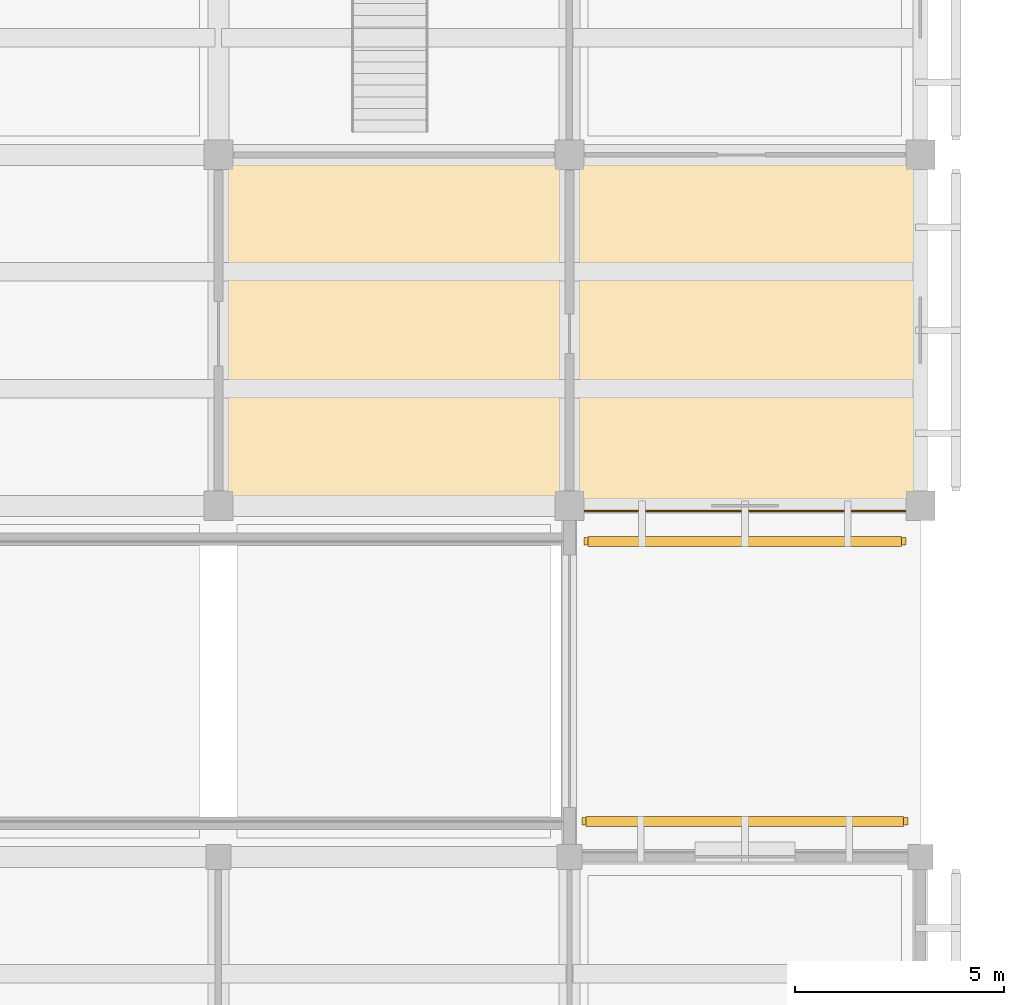
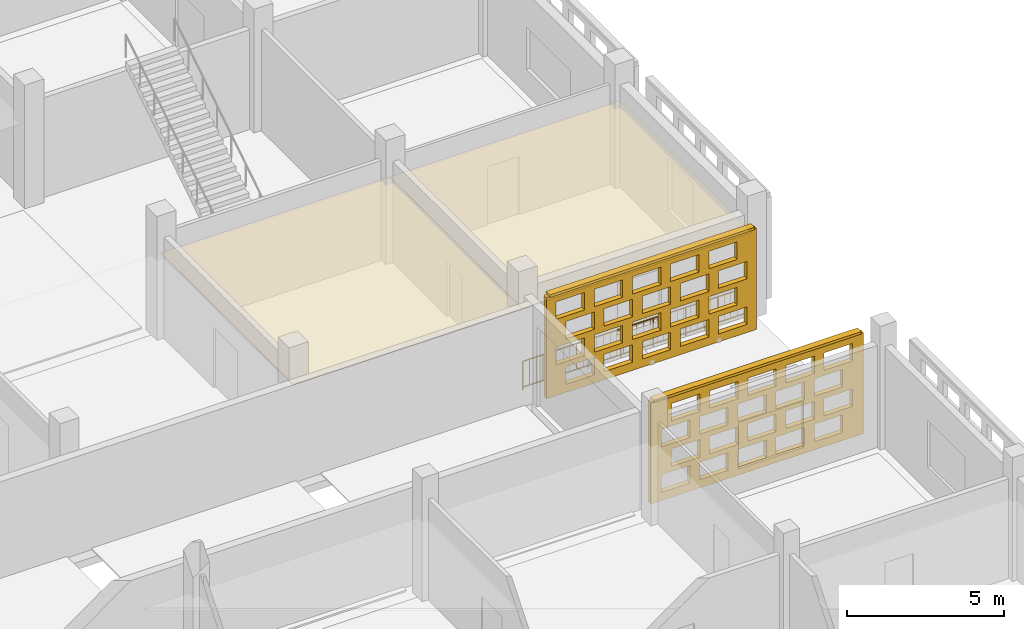
# One storey, part 121 of 129: 4 coverings, 2 shading devices, 1 railing, 40 openings.
"""IFC4 building model written with IfcOpenShell, lengths in metres."""

from ifc_helpers import new_model, si_unit, direction, frame, frame_2d, origin, origin_2d, place, context, subcontext, project, spatial, rectangle, circle, extrude, material, layer, layer_set, type_object, element, save


model = new_model("IFC4")

# Units and contexts
model_context = context("Model", 3, precision=1e-05, world=origin(), true_north=direction((0.0, 1.0)))
body_context = subcontext(model_context, "Body", "Model", "MODEL_VIEW")
ifc_project = project(units=[si_unit("LENGTHUNIT", "METRE"), si_unit("AREAUNIT", "SQUARE_METRE"), si_unit("VOLUMEUNIT", "CUBIC_METRE"), si_unit("PLANEANGLEUNIT", "RADIAN"), si_unit("MASSUNIT", "GRAM", prefix="KILO")], contexts=[model_context])

# Site, building, storey
site_placement = place(None, origin())
site = spatial("IfcSite", under=ifc_project, at=site_placement, CompositionType="ELEMENT")
building_placement = place(site_placement, origin())
building = spatial("IfcBuilding", under=site, at=building_placement, Name="Varnapada Polytechnic", CompositionType="ELEMENT")
storey_placement = place(building_placement, origin())
storey = spatial("IfcBuildingStorey", under=building, at=storey_placement, Name="L00", CompositionType="ELEMENT", Elevation=0.0)

# Coverings
ifc_material_1 = material(Name="Mineral Fibre Acoustic Ceiling Tile")
ifc_layer_1 = layer(ifc_material_1, 0.0400390625)
ifc_layer_set_1 = layer_set([ifc_layer_1], Name="Mineral Fibre Acoustic Ceiling Tile")
covering_type_1 = type_object("IfcCoveringType", Name="Suspended Ceiling CLG-01", PredefinedType="CEILING", material=ifc_layer_set_1)
covering_1_placement = place(storey_placement, frame((172.199951171875, 63.0, 3.030029296875), z_axis=(0.0, 0.0, 1.0), x_axis=(1.0, 0.0, 0.0)))
element("IfcCovering", 1, at=covering_1_placement, inside=storey, type_object=covering_type_1, Name="L00 suspended acoustic ceiling (21,8)", PredefinedType="CEILING", context=body_context, shape_type="SweptSolid", body=[
    extrude(rectangle(XDim=8.419921875, YDim=8.419921875, at=origin_2d()), origin(), (0.0, 0.0, 1.0), 0.0400390625),
])
ifc_material_2 = material(Name="Moisture-Resistant Aluminum Baffle Ceiling", Category="aluminium")
ifc_layer_2 = layer(ifc_material_2, 0.030029296875)
ifc_layer_set_2 = layer_set([ifc_layer_2], Name="Moisture-Resistant Aluminum Baffle Ceiling")
covering_type_2 = type_object("IfcCoveringType", Name="Suspended Ceiling CLG-03", PredefinedType="CEILING", material=ifc_layer_set_2)
covering_2_placement = place(storey_placement, frame((163.800048828125, 63.0, 3.03515625), z_axis=(0.0, 0.0, 1.0), x_axis=(1.0, 0.0, 0.0)))
element("IfcCovering", 2, at=covering_2_placement, inside=storey, type_object=covering_type_2, Name="L00 suspended acoustic ceiling (20,8)", PredefinedType="CEILING", context=body_context, shape_type="SweptSolid", body=[
    extrude(rectangle(XDim=8.419921875, YDim=8.419921875, at=origin_2d()), origin(), (0.0, 0.0, 1.0), 0.030029296875),
])

# Railing
ifc_material_3 = material(Name="Painted galvanized steel", Category="steel")
railing_type = type_object("IfcRailingType", Name="Terrace Guard Rail GRD-01", PredefinedType="BALUSTRADE", material=ifc_material_3)
railing_placement = place(storey_placement, frame((167.949951171875, 58.679931640625, 0.0)))
element("IfcRailing", 3, at=railing_placement, inside=storey, type_object=railing_type, Name="L00 vehicle ramp well guard 5", PredefinedType="BALUSTRADE", context=body_context, shape_type="SweptSolid", body=[
    extrude(circle(Radius=0.02392578125, at=origin_2d()), frame((0.0, 0.0, 1.09619140625), z_axis=(1.0, 0.0, 0.0), x_axis=(0.0, 1.0, 0.0)), (0.0, 0.0, 1.0), 8.3701171875),
    extrude(circle(Radius=0.02392578125, at=origin_2d()), frame((0.0, 0.0, 0.10009765625), z_axis=(1.0, 0.0, 0.0), x_axis=(0.0, 1.0, 0.0)), (0.0, 0.0, 1.0), 8.3701171875),
    extrude(circle(Radius=0.02099609375, at=origin_2d()), origin(), (0.0, 0.0, 1.0), 1.072021484375),
    extrude(circle(Radius=0.02099609375, at=origin_2d()), frame((1.19580078125, 0.0, 0.0)), (0.0, 0.0, 1.0), 1.072021484375),
    extrude(circle(Radius=0.02099609375, at=origin_2d()), frame((2.391357421875, 0.0, 0.0)), (0.0, 0.0, 1.0), 1.072021484375),
    extrude(circle(Radius=0.02099609375, at=origin_2d()), frame((3.587158203125, 0.0, 0.0)), (0.0, 0.0, 1.0), 1.072021484375),
    extrude(circle(Radius=0.02099609375, at=origin_2d()), frame((4.782958984375, 0.0, 0.0)), (0.0, 0.0, 1.0), 1.072021484375),
    extrude(circle(Radius=0.02099609375, at=origin_2d()), frame((5.978759765625, 0.0, 0.0)), (0.0, 0.0, 1.0), 1.072021484375),
    extrude(circle(Radius=0.02099609375, at=origin_2d()), frame((7.17431640625, 0.0, 0.0)), (0.0, 0.0, 1.0), 1.072021484375),
    extrude(circle(Radius=0.02099609375, at=origin_2d()), frame((8.3701171875, 0.0, 0.0)), (0.0, 0.0, 1.0), 1.072021484375),
    extrude(circle(Radius=0.010009765625, at=origin_2d()), frame((0.24609375, 0.0, 0.10009765625)), (0.0, 0.0, 1.0), 0.971923828125),
    extrude(circle(Radius=0.010009765625, at=origin_2d()), frame((0.492431640625, 0.0, 0.10009765625)), (0.0, 0.0, 1.0), 0.971923828125),
    extrude(circle(Radius=0.010009765625, at=origin_2d()), frame((0.738525390625, 0.0, 0.10009765625)), (0.0, 0.0, 1.0), 0.971923828125),
    extrude(circle(Radius=0.010009765625, at=origin_2d()), frame((0.984619140625, 0.0, 0.10009765625)), (0.0, 0.0, 1.0), 0.971923828125),
    extrude(circle(Radius=0.010009765625, at=origin_2d()), frame((1.23095703125, 0.0, 0.10009765625)), (0.0, 0.0, 1.0), 0.971923828125),
    extrude(circle(Radius=0.010009765625, at=origin_2d()), frame((1.47705078125, 0.0, 0.10009765625)), (0.0, 0.0, 1.0), 0.971923828125),
    extrude(circle(Radius=0.010009765625, at=origin_2d()), frame((1.72314453125, 0.0, 0.10009765625)), (0.0, 0.0, 1.0), 0.971923828125),
    extrude(circle(Radius=0.010009765625, at=origin_2d()), frame((1.969482421875, 0.0, 0.10009765625)), (0.0, 0.0, 1.0), 0.971923828125),
    extrude(circle(Radius=0.010009765625, at=origin_2d()), frame((2.215576171875, 0.0, 0.10009765625)), (0.0, 0.0, 1.0), 0.971923828125),
    extrude(circle(Radius=0.010009765625, at=origin_2d()), frame((2.4619140625, 0.0, 0.10009765625)), (0.0, 0.0, 1.0), 0.971923828125),
    extrude(circle(Radius=0.010009765625, at=origin_2d()), frame((2.7080078125, 0.0, 0.10009765625)), (0.0, 0.0, 1.0), 0.971923828125),
    extrude(circle(Radius=0.010009765625, at=origin_2d()), frame((2.9541015625, 0.0, 0.10009765625)), (0.0, 0.0, 1.0), 0.971923828125),
    extrude(circle(Radius=0.010009765625, at=origin_2d()), frame((3.200439453125, 0.0, 0.10009765625)), (0.0, 0.0, 1.0), 0.971923828125),
    extrude(circle(Radius=0.010009765625, at=origin_2d()), frame((3.446533203125, 0.0, 0.10009765625)), (0.0, 0.0, 1.0), 0.971923828125),
    extrude(circle(Radius=0.010009765625, at=origin_2d()), frame((3.692626953125, 0.0, 0.10009765625)), (0.0, 0.0, 1.0), 0.971923828125),
    extrude(circle(Radius=0.010009765625, at=origin_2d()), frame((3.93896484375, 0.0, 0.10009765625)), (0.0, 0.0, 1.0), 0.971923828125),
    extrude(circle(Radius=0.010009765625, at=origin_2d()), frame((4.18505859375, 0.0, 0.10009765625)), (0.0, 0.0, 1.0), 0.971923828125),
    extrude(circle(Radius=0.010009765625, at=origin_2d()), frame((4.43115234375, 0.0, 0.10009765625)), (0.0, 0.0, 1.0), 0.971923828125),
    extrude(circle(Radius=0.010009765625, at=origin_2d()), frame((4.677490234375, 0.0, 0.10009765625)), (0.0, 0.0, 1.0), 0.971923828125),
    extrude(circle(Radius=0.010009765625, at=origin_2d()), frame((4.923583984375, 0.0, 0.10009765625)), (0.0, 0.0, 1.0), 0.971923828125),
    extrude(circle(Radius=0.010009765625, at=origin_2d()), frame((5.169677734375, 0.0, 0.10009765625)), (0.0, 0.0, 1.0), 0.971923828125),
    extrude(circle(Radius=0.010009765625, at=origin_2d()), frame((5.416015625, 0.0, 0.10009765625)), (0.0, 0.0, 1.0), 0.971923828125),
    extrude(circle(Radius=0.010009765625, at=origin_2d()), frame((5.662109375, 0.0, 0.10009765625)), (0.0, 0.0, 1.0), 0.971923828125),
    extrude(circle(Radius=0.010009765625, at=origin_2d()), frame((5.908203125, 0.0, 0.10009765625)), (0.0, 0.0, 1.0), 0.971923828125),
    extrude(circle(Radius=0.010009765625, at=origin_2d()), frame((6.154541015625, 0.0, 0.10009765625)), (0.0, 0.0, 1.0), 0.971923828125),
    extrude(circle(Radius=0.010009765625, at=origin_2d()), frame((6.400634765625, 0.0, 0.10009765625)), (0.0, 0.0, 1.0), 0.971923828125),
    extrude(circle(Radius=0.010009765625, at=origin_2d()), frame((6.64697265625, 0.0, 0.10009765625)), (0.0, 0.0, 1.0), 0.971923828125),
    extrude(circle(Radius=0.010009765625, at=origin_2d()), frame((6.89306640625, 0.0, 0.10009765625)), (0.0, 0.0, 1.0), 0.971923828125),
    extrude(circle(Radius=0.010009765625, at=origin_2d()), frame((7.13916015625, 0.0, 0.10009765625)), (0.0, 0.0, 1.0), 0.971923828125),
    extrude(circle(Radius=0.010009765625, at=origin_2d()), frame((7.385498046875, 0.0, 0.10009765625)), (0.0, 0.0, 1.0), 0.971923828125),
    extrude(circle(Radius=0.010009765625, at=origin_2d()), frame((7.631591796875, 0.0, 0.10009765625)), (0.0, 0.0, 1.0), 0.971923828125),
    extrude(circle(Radius=0.010009765625, at=origin_2d()), frame((7.877685546875, 0.0, 0.10009765625)), (0.0, 0.0, 1.0), 0.971923828125),
    extrude(circle(Radius=0.010009765625, at=origin_2d()), frame((8.1240234375, 0.0, 0.10009765625)), (0.0, 0.0, 1.0), 0.971923828125),
])

# Covering, openings
ifc_material_4 = material(Name="Earth-toned architectural terracotta screen block", Category="masonry")
ifc_layer_3 = layer(ifc_material_4, 0.1201171875)
ifc_layer_set_3 = layer_set([ifc_layer_3], Name="Earth-toned architectural terracotta screen block")
covering_type_3 = type_object("IfcCoveringType", Name="Terracotta Screen Cladding CLD-01", PredefinedType="CLADDING", material=ifc_layer_set_3)
covering_3_placement = place(storey_placement, frame((168.300048828125, 51.25, 0.0), z_axis=(0.0, 0.0, 1.0), x_axis=(1.0, 0.0, 0.0)))
covering_3 = element("IfcCovering", 4, at=covering_3_placement, inside=storey, type_object=covering_type_3, Name="L00 perforated terracotta block screen (103)", PredefinedType="CLADDING", context=body_context, shape_type="SweptSolid", body=[
    extrude(rectangle(XDim=7.800048828125, YDim=0.179931640625, at=frame_2d((3.89990234375, 0.0))), origin(), (0.0, 0.0, 1.0), 3.919921875),
])
opening_1_placement = place(covering_3_placement, frame((0.39990234375, 0.0, 0.313720703125)))
element("IfcOpeningElement", 5, at=opening_1_placement, cuts=covering_3, Name="Screen perforation TBS-L00-102.1", PredefinedType="OPENING", context=body_context, shape_type="SweptSolid", body=[
    extrude(rectangle(XDim=1.0400390625, YDim=0.679931640625, at=frame_2d((0.52001953125, 0.33984375))), frame((0.0, 0.099853515625, 0.0), z_axis=(0.0, -1.0, 0.0), x_axis=(1.0, 0.0, 0.0)), (0.0, 0.0, 1.0), 0.199951171875),
])
opening_2_placement = place(covering_3_placement, frame((1.800048828125, 0.0, 0.313720703125)))
element("IfcOpeningElement", 6, at=opening_2_placement, cuts=covering_3, Name="Screen perforation TBS-L00-102.2", PredefinedType="OPENING", context=body_context, shape_type="SweptSolid", body=[
    extrude(rectangle(XDim=1.0400390625, YDim=0.679931640625, at=frame_2d((0.52001953125, 0.33984375))), frame((0.0, 0.099853515625, 0.0), z_axis=(0.0, -1.0, 0.0), x_axis=(1.0, 0.0, 0.0)), (0.0, 0.0, 1.0), 0.199951171875),
])
opening_3_placement = place(covering_3_placement, frame((3.199951171875, 0.0, 0.313720703125)))
element("IfcOpeningElement", 7, at=opening_3_placement, cuts=covering_3, Name="Screen perforation TBS-L00-102.3", PredefinedType="OPENING", context=body_context, shape_type="SweptSolid", body=[
    extrude(rectangle(XDim=1.0400390625, YDim=0.679931640625, at=frame_2d((0.52001953125, 0.33984375))), frame((0.0, 0.099853515625, 0.0), z_axis=(0.0, -1.0, 0.0), x_axis=(1.0, 0.0, 0.0)), (0.0, 0.0, 1.0), 0.199951171875),
])
opening_4_placement = place(covering_3_placement, frame((4.60009765625, 0.0, 0.313720703125)))
element("IfcOpeningElement", 8, at=opening_4_placement, cuts=covering_3, Name="Screen perforation TBS-L00-102.4", PredefinedType="OPENING", context=body_context, shape_type="SweptSolid", body=[
    extrude(rectangle(XDim=1.0400390625, YDim=0.679931640625, at=frame_2d((0.52001953125, 0.33984375))), frame((0.0, 0.099853515625, 0.0), z_axis=(0.0, -1.0, 0.0), x_axis=(1.0, 0.0, 0.0)), (0.0, 0.0, 1.0), 0.199951171875),
])
opening_5_placement = place(covering_3_placement, frame((6.0, 0.0, 0.313720703125)))
element("IfcOpeningElement", 9, at=opening_5_placement, cuts=covering_3, Name="Screen perforation TBS-L00-102.5", PredefinedType="OPENING", context=body_context, shape_type="SweptSolid", body=[
    extrude(rectangle(XDim=1.0400390625, YDim=0.679931640625, at=frame_2d((0.52001953125, 0.33984375))), frame((0.0, 0.099853515625, 0.0), z_axis=(0.0, -1.0, 0.0), x_axis=(1.0, 0.0, 0.0)), (0.0, 0.0, 1.0), 0.199951171875),
])
opening_6_placement = place(covering_3_placement, frame((0.760009765625, 0.0, 1.195556640625)))
element("IfcOpeningElement", 10, at=opening_6_placement, cuts=covering_3, Name="Screen perforation TBS-L00-102.6", PredefinedType="OPENING", context=body_context, shape_type="SweptSolid", body=[
    extrude(rectangle(XDim=1.0400390625, YDim=0.679931640625, at=frame_2d((0.52001953125, 0.33984375))), frame((0.0, 0.099853515625, 0.0), z_axis=(0.0, -1.0, 0.0), x_axis=(1.0, 0.0, 0.0)), (0.0, 0.0, 1.0), 0.199951171875),
])
opening_7_placement = place(covering_3_placement, frame((2.159912109375, 0.0, 1.195556640625)))
element("IfcOpeningElement", 11, at=opening_7_placement, cuts=covering_3, Name="Screen perforation TBS-L00-102.7", PredefinedType="OPENING", context=body_context, shape_type="SweptSolid", body=[
    extrude(rectangle(XDim=1.0400390625, YDim=0.679931640625, at=frame_2d((0.52001953125, 0.33984375))), frame((0.0, 0.099853515625, 0.0), z_axis=(0.0, -1.0, 0.0), x_axis=(1.0, 0.0, 0.0)), (0.0, 0.0, 1.0), 0.199951171875),
])
opening_8_placement = place(covering_3_placement, frame((3.56005859375, 0.0, 1.195556640625)))
element("IfcOpeningElement", 12, at=opening_8_placement, cuts=covering_3, Name="Screen perforation TBS-L00-102.8", PredefinedType="OPENING", context=body_context, shape_type="SweptSolid", body=[
    extrude(rectangle(XDim=1.0400390625, YDim=0.679931640625, at=frame_2d((0.52001953125, 0.33984375))), frame((0.0, 0.099853515625, 0.0), z_axis=(0.0, -1.0, 0.0), x_axis=(1.0, 0.0, 0.0)), (0.0, 0.0, 1.0), 0.199951171875),
])
opening_9_placement = place(covering_3_placement, frame((4.9599609375, 0.0, 1.195556640625)))
element("IfcOpeningElement", 13, at=opening_9_placement, cuts=covering_3, Name="Screen perforation TBS-L00-102.9", PredefinedType="OPENING", context=body_context, shape_type="SweptSolid", body=[
    extrude(rectangle(XDim=1.0400390625, YDim=0.679931640625, at=frame_2d((0.52001953125, 0.33984375))), frame((0.0, 0.099853515625, 0.0), z_axis=(0.0, -1.0, 0.0), x_axis=(1.0, 0.0, 0.0)), (0.0, 0.0, 1.0), 0.199951171875),
])
opening_10_placement = place(covering_3_placement, frame((6.360107421875, 0.0, 1.195556640625)))
element("IfcOpeningElement", 14, at=opening_10_placement, cuts=covering_3, Name="Screen perforation TBS-L00-102.10", PredefinedType="OPENING", context=body_context, shape_type="SweptSolid", body=[
    extrude(rectangle(XDim=1.0400390625, YDim=0.679931640625, at=frame_2d((0.52001953125, 0.33984375))), frame((0.0, 0.099853515625, 0.0), z_axis=(0.0, -1.0, 0.0), x_axis=(1.0, 0.0, 0.0)), (0.0, 0.0, 1.0), 0.199951171875),
])
opening_11_placement = place(covering_3_placement, frame((0.39990234375, 0.0, 2.07763671875)))
element("IfcOpeningElement", 15, at=opening_11_placement, cuts=covering_3, Name="Screen perforation TBS-L00-102.11", PredefinedType="OPENING", context=body_context, shape_type="SweptSolid", body=[
    extrude(rectangle(XDim=1.0400390625, YDim=0.679931640625, at=frame_2d((0.52001953125, 0.33984375))), frame((0.0, 0.099853515625, 0.0), z_axis=(0.0, -1.0, 0.0), x_axis=(1.0, 0.0, 0.0)), (0.0, 0.0, 1.0), 0.199951171875),
])
opening_12_placement = place(covering_3_placement, frame((1.800048828125, 0.0, 2.07763671875)))
element("IfcOpeningElement", 16, at=opening_12_placement, cuts=covering_3, Name="Screen perforation TBS-L00-102.12", PredefinedType="OPENING", context=body_context, shape_type="SweptSolid", body=[
    extrude(rectangle(XDim=1.0400390625, YDim=0.679931640625, at=frame_2d((0.52001953125, 0.33984375))), frame((0.0, 0.099853515625, 0.0), z_axis=(0.0, -1.0, 0.0), x_axis=(1.0, 0.0, 0.0)), (0.0, 0.0, 1.0), 0.199951171875),
])
opening_13_placement = place(covering_3_placement, frame((3.199951171875, 0.0, 2.07763671875)))
element("IfcOpeningElement", 17, at=opening_13_placement, cuts=covering_3, Name="Screen perforation TBS-L00-102.13", PredefinedType="OPENING", context=body_context, shape_type="SweptSolid", body=[
    extrude(rectangle(XDim=1.0400390625, YDim=0.679931640625, at=frame_2d((0.52001953125, 0.33984375))), frame((0.0, 0.099853515625, 0.0), z_axis=(0.0, -1.0, 0.0), x_axis=(1.0, 0.0, 0.0)), (0.0, 0.0, 1.0), 0.199951171875),
])
opening_14_placement = place(covering_3_placement, frame((4.60009765625, 0.0, 2.07763671875)))
element("IfcOpeningElement", 18, at=opening_14_placement, cuts=covering_3, Name="Screen perforation TBS-L00-102.14", PredefinedType="OPENING", context=body_context, shape_type="SweptSolid", body=[
    extrude(rectangle(XDim=1.0400390625, YDim=0.679931640625, at=frame_2d((0.52001953125, 0.33984375))), frame((0.0, 0.099853515625, 0.0), z_axis=(0.0, -1.0, 0.0), x_axis=(1.0, 0.0, 0.0)), (0.0, 0.0, 1.0), 0.199951171875),
])
opening_15_placement = place(covering_3_placement, frame((6.0, 0.0, 2.07763671875)))
element("IfcOpeningElement", 19, at=opening_15_placement, cuts=covering_3, Name="Screen perforation TBS-L00-102.15", PredefinedType="OPENING", context=body_context, shape_type="SweptSolid", body=[
    extrude(rectangle(XDim=1.0400390625, YDim=0.679931640625, at=frame_2d((0.52001953125, 0.33984375))), frame((0.0, 0.099853515625, 0.0), z_axis=(0.0, -1.0, 0.0), x_axis=(1.0, 0.0, 0.0)), (0.0, 0.0, 1.0), 0.199951171875),
])
opening_16_placement = place(covering_3_placement, frame((0.760009765625, 0.0, 2.959716796875)))
element("IfcOpeningElement", 20, at=opening_16_placement, cuts=covering_3, Name="Screen perforation TBS-L00-102.16", PredefinedType="OPENING", context=body_context, shape_type="SweptSolid", body=[
    extrude(rectangle(XDim=1.0400390625, YDim=0.679931640625, at=frame_2d((0.52001953125, 0.33984375))), frame((0.0, 0.099853515625, 0.0), z_axis=(0.0, -1.0, 0.0), x_axis=(1.0, 0.0, 0.0)), (0.0, 0.0, 1.0), 0.199951171875),
])
opening_17_placement = place(covering_3_placement, frame((2.159912109375, 0.0, 2.959716796875)))
element("IfcOpeningElement", 21, at=opening_17_placement, cuts=covering_3, Name="Screen perforation TBS-L00-102.17", PredefinedType="OPENING", context=body_context, shape_type="SweptSolid", body=[
    extrude(rectangle(XDim=1.0400390625, YDim=0.679931640625, at=frame_2d((0.52001953125, 0.33984375))), frame((0.0, 0.099853515625, 0.0), z_axis=(0.0, -1.0, 0.0), x_axis=(1.0, 0.0, 0.0)), (0.0, 0.0, 1.0), 0.199951171875),
])
opening_18_placement = place(covering_3_placement, frame((3.56005859375, 0.0, 2.959716796875)))
element("IfcOpeningElement", 22, at=opening_18_placement, cuts=covering_3, Name="Screen perforation TBS-L00-102.18", PredefinedType="OPENING", context=body_context, shape_type="SweptSolid", body=[
    extrude(rectangle(XDim=1.0400390625, YDim=0.679931640625, at=frame_2d((0.52001953125, 0.33984375))), frame((0.0, 0.099853515625, 0.0), z_axis=(0.0, -1.0, 0.0), x_axis=(1.0, 0.0, 0.0)), (0.0, 0.0, 1.0), 0.199951171875),
])
opening_19_placement = place(covering_3_placement, frame((4.9599609375, 0.0, 2.959716796875)))
element("IfcOpeningElement", 23, at=opening_19_placement, cuts=covering_3, Name="Screen perforation TBS-L00-102.19", PredefinedType="OPENING", context=body_context, shape_type="SweptSolid", body=[
    extrude(rectangle(XDim=1.0400390625, YDim=0.679931640625, at=frame_2d((0.52001953125, 0.33984375))), frame((0.0, 0.099853515625, 0.0), z_axis=(0.0, -1.0, 0.0), x_axis=(1.0, 0.0, 0.0)), (0.0, 0.0, 1.0), 0.199951171875),
])
opening_20_placement = place(covering_3_placement, frame((6.360107421875, 0.0, 2.959716796875)))
element("IfcOpeningElement", 24, at=opening_20_placement, cuts=covering_3, Name="Screen perforation TBS-L00-102.20", PredefinedType="OPENING", context=body_context, shape_type="SweptSolid", body=[
    extrude(rectangle(XDim=1.0400390625, YDim=0.679931640625, at=frame_2d((0.52001953125, 0.33984375))), frame((0.0, 0.099853515625, 0.0), z_axis=(0.0, -1.0, 0.0), x_axis=(1.0, 0.0, 0.0)), (0.0, 0.0, 1.0), 0.199951171875),
])

covering_4_placement = place(storey_placement, frame((176.050048828125, 57.949951171875, 0.0), z_axis=(0.0, 0.0, 1.0), x_axis=(-1.0, 0.0, 0.0)))
covering_4 = element("IfcCovering", 25, at=covering_4_placement, inside=storey, type_object=covering_type_3, Name="L00 perforated terracotta block screen (105)", PredefinedType="CLADDING", context=body_context, shape_type="SweptSolid", body=[
    extrude(rectangle(XDim=7.699951171875, YDim=0.179931640625, at=frame_2d((3.85009765625, 0.0))), origin(), (0.0, 0.0, 1.0), 3.919921875),
])
opening_21_placement = place(covering_4_placement, frame((0.35009765625, 0.0, 0.313720703125)))
element("IfcOpeningElement", 26, at=opening_21_placement, cuts=covering_4, Name="Screen perforation TBS-L00-104.1", PredefinedType="OPENING", context=body_context, shape_type="SweptSolid", body=[
    extrude(rectangle(XDim=1.0400390625, YDim=0.679931640625, at=frame_2d((0.52001953125, 0.33984375))), frame((0.0, 0.099853515625, 0.0), z_axis=(0.0, -1.0, 0.0), x_axis=(1.0, 0.0, 0.0)), (0.0, 0.0, 1.0), 0.199951171875),
])
opening_22_placement = place(covering_4_placement, frame((1.75, 0.0, 0.313720703125)))
element("IfcOpeningElement", 27, at=opening_22_placement, cuts=covering_4, Name="Screen perforation TBS-L00-104.2", PredefinedType="OPENING", context=body_context, shape_type="SweptSolid", body=[
    extrude(rectangle(XDim=1.0400390625, YDim=0.679931640625, at=frame_2d((0.52001953125, 0.33984375))), frame((0.0, 0.099853515625, 0.0), z_axis=(0.0, -1.0, 0.0), x_axis=(1.0, 0.0, 0.0)), (0.0, 0.0, 1.0), 0.199951171875),
])
opening_23_placement = place(covering_4_placement, frame((3.14990234375, 0.0, 0.313720703125)))
element("IfcOpeningElement", 28, at=opening_23_placement, cuts=covering_4, Name="Screen perforation TBS-L00-104.3", PredefinedType="OPENING", context=body_context, shape_type="SweptSolid", body=[
    extrude(rectangle(XDim=1.0400390625, YDim=0.679931640625, at=frame_2d((0.52001953125, 0.33984375))), frame((0.0, 0.099853515625, 0.0), z_axis=(0.0, -1.0, 0.0), x_axis=(1.0, 0.0, 0.0)), (0.0, 0.0, 1.0), 0.199951171875),
])
opening_24_placement = place(covering_4_placement, frame((4.550048828125, 0.0, 0.313720703125)))
element("IfcOpeningElement", 29, at=opening_24_placement, cuts=covering_4, Name="Screen perforation TBS-L00-104.4", PredefinedType="OPENING", context=body_context, shape_type="SweptSolid", body=[
    extrude(rectangle(XDim=1.0400390625, YDim=0.679931640625, at=frame_2d((0.52001953125, 0.33984375))), frame((0.0, 0.099853515625, 0.0), z_axis=(0.0, -1.0, 0.0), x_axis=(1.0, 0.0, 0.0)), (0.0, 0.0, 1.0), 0.199951171875),
])
opening_25_placement = place(covering_4_placement, frame((5.949951171875, 0.0, 0.313720703125)))
element("IfcOpeningElement", 30, at=opening_25_placement, cuts=covering_4, Name="Screen perforation TBS-L00-104.5", PredefinedType="OPENING", context=body_context, shape_type="SweptSolid", body=[
    extrude(rectangle(XDim=1.0400390625, YDim=0.679931640625, at=frame_2d((0.52001953125, 0.33984375))), frame((0.0, 0.099853515625, 0.0), z_axis=(0.0, -1.0, 0.0), x_axis=(1.0, 0.0, 0.0)), (0.0, 0.0, 1.0), 0.199951171875),
])
opening_26_placement = place(covering_4_placement, frame((0.7099609375, 0.0, 1.195556640625)))
element("IfcOpeningElement", 31, at=opening_26_placement, cuts=covering_4, Name="Screen perforation TBS-L00-104.6", PredefinedType="OPENING", context=body_context, shape_type="SweptSolid", body=[
    extrude(rectangle(XDim=1.0400390625, YDim=0.679931640625, at=frame_2d((0.52001953125, 0.33984375))), frame((0.0, 0.099853515625, 0.0), z_axis=(0.0, -1.0, 0.0), x_axis=(1.0, 0.0, 0.0)), (0.0, 0.0, 1.0), 0.199951171875),
])
opening_27_placement = place(covering_4_placement, frame((2.110107421875, 0.0, 1.195556640625)))
element("IfcOpeningElement", 32, at=opening_27_placement, cuts=covering_4, Name="Screen perforation TBS-L00-104.7", PredefinedType="OPENING", context=body_context, shape_type="SweptSolid", body=[
    extrude(rectangle(XDim=1.0400390625, YDim=0.679931640625, at=frame_2d((0.52001953125, 0.33984375))), frame((0.0, 0.099853515625, 0.0), z_axis=(0.0, -1.0, 0.0), x_axis=(1.0, 0.0, 0.0)), (0.0, 0.0, 1.0), 0.199951171875),
])
opening_28_placement = place(covering_4_placement, frame((3.510009765625, 0.0, 1.195556640625)))
element("IfcOpeningElement", 33, at=opening_28_placement, cuts=covering_4, Name="Screen perforation TBS-L00-104.8", PredefinedType="OPENING", context=body_context, shape_type="SweptSolid", body=[
    extrude(rectangle(XDim=1.0400390625, YDim=0.679931640625, at=frame_2d((0.52001953125, 0.33984375))), frame((0.0, 0.099853515625, 0.0), z_axis=(0.0, -1.0, 0.0), x_axis=(1.0, 0.0, 0.0)), (0.0, 0.0, 1.0), 0.199951171875),
])
opening_29_placement = place(covering_4_placement, frame((4.909912109375, 0.0, 1.195556640625)))
element("IfcOpeningElement", 34, at=opening_29_placement, cuts=covering_4, Name="Screen perforation TBS-L00-104.9", PredefinedType="OPENING", context=body_context, shape_type="SweptSolid", body=[
    extrude(rectangle(XDim=1.0400390625, YDim=0.679931640625, at=frame_2d((0.52001953125, 0.33984375))), frame((0.0, 0.099853515625, 0.0), z_axis=(0.0, -1.0, 0.0), x_axis=(1.0, 0.0, 0.0)), (0.0, 0.0, 1.0), 0.199951171875),
])
opening_30_placement = place(covering_4_placement, frame((6.31005859375, 0.0, 1.195556640625)))
element("IfcOpeningElement", 35, at=opening_30_placement, cuts=covering_4, Name="Screen perforation TBS-L00-104.10", PredefinedType="OPENING", context=body_context, shape_type="SweptSolid", body=[
    extrude(rectangle(XDim=1.0400390625, YDim=0.679931640625, at=frame_2d((0.52001953125, 0.33984375))), frame((0.0, 0.099853515625, 0.0), z_axis=(0.0, -1.0, 0.0), x_axis=(1.0, 0.0, 0.0)), (0.0, 0.0, 1.0), 0.199951171875),
])
opening_31_placement = place(covering_4_placement, frame((0.35009765625, 0.0, 2.07763671875)))
element("IfcOpeningElement", 36, at=opening_31_placement, cuts=covering_4, Name="Screen perforation TBS-L00-104.11", PredefinedType="OPENING", context=body_context, shape_type="SweptSolid", body=[
    extrude(rectangle(XDim=1.0400390625, YDim=0.679931640625, at=frame_2d((0.52001953125, 0.33984375))), frame((0.0, 0.099853515625, 0.0), z_axis=(0.0, -1.0, 0.0), x_axis=(1.0, 0.0, 0.0)), (0.0, 0.0, 1.0), 0.199951171875),
])
opening_32_placement = place(covering_4_placement, frame((1.75, 0.0, 2.07763671875)))
element("IfcOpeningElement", 37, at=opening_32_placement, cuts=covering_4, Name="Screen perforation TBS-L00-104.12", PredefinedType="OPENING", context=body_context, shape_type="SweptSolid", body=[
    extrude(rectangle(XDim=1.0400390625, YDim=0.679931640625, at=frame_2d((0.52001953125, 0.33984375))), frame((0.0, 0.099853515625, 0.0), z_axis=(0.0, -1.0, 0.0), x_axis=(1.0, 0.0, 0.0)), (0.0, 0.0, 1.0), 0.199951171875),
])
opening_33_placement = place(covering_4_placement, frame((3.14990234375, 0.0, 2.07763671875)))
element("IfcOpeningElement", 38, at=opening_33_placement, cuts=covering_4, Name="Screen perforation TBS-L00-104.13", PredefinedType="OPENING", context=body_context, shape_type="SweptSolid", body=[
    extrude(rectangle(XDim=1.0400390625, YDim=0.679931640625, at=frame_2d((0.52001953125, 0.33984375))), frame((0.0, 0.099853515625, 0.0), z_axis=(0.0, -1.0, 0.0), x_axis=(1.0, 0.0, 0.0)), (0.0, 0.0, 1.0), 0.199951171875),
])
opening_34_placement = place(covering_4_placement, frame((4.550048828125, 0.0, 2.07763671875)))
element("IfcOpeningElement", 39, at=opening_34_placement, cuts=covering_4, Name="Screen perforation TBS-L00-104.14", PredefinedType="OPENING", context=body_context, shape_type="SweptSolid", body=[
    extrude(rectangle(XDim=1.0400390625, YDim=0.679931640625, at=frame_2d((0.52001953125, 0.33984375))), frame((0.0, 0.099853515625, 0.0), z_axis=(0.0, -1.0, 0.0), x_axis=(1.0, 0.0, 0.0)), (0.0, 0.0, 1.0), 0.199951171875),
])
opening_35_placement = place(covering_4_placement, frame((5.949951171875, 0.0, 2.07763671875)))
element("IfcOpeningElement", 40, at=opening_35_placement, cuts=covering_4, Name="Screen perforation TBS-L00-104.15", PredefinedType="OPENING", context=body_context, shape_type="SweptSolid", body=[
    extrude(rectangle(XDim=1.0400390625, YDim=0.679931640625, at=frame_2d((0.52001953125, 0.33984375))), frame((0.0, 0.099853515625, 0.0), z_axis=(0.0, -1.0, 0.0), x_axis=(1.0, 0.0, 0.0)), (0.0, 0.0, 1.0), 0.199951171875),
])
opening_36_placement = place(covering_4_placement, frame((0.7099609375, 0.0, 2.959716796875)))
element("IfcOpeningElement", 41, at=opening_36_placement, cuts=covering_4, Name="Screen perforation TBS-L00-104.16", PredefinedType="OPENING", context=body_context, shape_type="SweptSolid", body=[
    extrude(rectangle(XDim=1.0400390625, YDim=0.679931640625, at=frame_2d((0.52001953125, 0.33984375))), frame((0.0, 0.099853515625, 0.0), z_axis=(0.0, -1.0, 0.0), x_axis=(1.0, 0.0, 0.0)), (0.0, 0.0, 1.0), 0.199951171875),
])
opening_37_placement = place(covering_4_placement, frame((2.110107421875, 0.0, 2.959716796875)))
element("IfcOpeningElement", 42, at=opening_37_placement, cuts=covering_4, Name="Screen perforation TBS-L00-104.17", PredefinedType="OPENING", context=body_context, shape_type="SweptSolid", body=[
    extrude(rectangle(XDim=1.0400390625, YDim=0.679931640625, at=frame_2d((0.52001953125, 0.33984375))), frame((0.0, 0.099853515625, 0.0), z_axis=(0.0, -1.0, 0.0), x_axis=(1.0, 0.0, 0.0)), (0.0, 0.0, 1.0), 0.199951171875),
])
opening_38_placement = place(covering_4_placement, frame((3.510009765625, 0.0, 2.959716796875)))
element("IfcOpeningElement", 43, at=opening_38_placement, cuts=covering_4, Name="Screen perforation TBS-L00-104.18", PredefinedType="OPENING", context=body_context, shape_type="SweptSolid", body=[
    extrude(rectangle(XDim=1.0400390625, YDim=0.679931640625, at=frame_2d((0.52001953125, 0.33984375))), frame((0.0, 0.099853515625, 0.0), z_axis=(0.0, -1.0, 0.0), x_axis=(1.0, 0.0, 0.0)), (0.0, 0.0, 1.0), 0.199951171875),
])
opening_39_placement = place(covering_4_placement, frame((4.909912109375, 0.0, 2.959716796875)))
element("IfcOpeningElement", 44, at=opening_39_placement, cuts=covering_4, Name="Screen perforation TBS-L00-104.19", PredefinedType="OPENING", context=body_context, shape_type="SweptSolid", body=[
    extrude(rectangle(XDim=1.0400390625, YDim=0.679931640625, at=frame_2d((0.52001953125, 0.33984375))), frame((0.0, 0.099853515625, 0.0), z_axis=(0.0, -1.0, 0.0), x_axis=(1.0, 0.0, 0.0)), (0.0, 0.0, 1.0), 0.199951171875),
])
opening_40_placement = place(covering_4_placement, frame((6.31005859375, 0.0, 2.959716796875)))
element("IfcOpeningElement", 45, at=opening_40_placement, cuts=covering_4, Name="Screen perforation TBS-L00-104.20", PredefinedType="OPENING", context=body_context, shape_type="SweptSolid", body=[
    extrude(rectangle(XDim=1.0400390625, YDim=0.679931640625, at=frame_2d((0.52001953125, 0.33984375))), frame((0.0, 0.099853515625, 0.0), z_axis=(0.0, -1.0, 0.0), x_axis=(1.0, 0.0, 0.0)), (0.0, 0.0, 1.0), 0.199951171875),
])

# Shading devices
ifc_layer_4 = layer(ifc_material_4, 0.179931640625)
ifc_layer_set_4 = layer_set([ifc_layer_4], Name="Earth-toned architectural terracotta screen block")
shading_device_type = type_object("IfcShadingDeviceType", Name="Terracotta Screen SCR-02", PredefinedType="USERDEFINED", material=ifc_layer_set_4)
shading_device_1_placement = place(storey_placement, frame((172.199951171875, 51.25, 3.909912109375), z_axis=(0.0, 0.0, 1.0), x_axis=(1.0, 0.0, 0.0)))
element("IfcShadingDevice", 46, at=shading_device_1_placement, inside=storey, type_object=shading_device_type, Name="L00 perforated terracotta screen hood 74", ObjectType="SCREEN", PredefinedType="USERDEFINED", context=body_context, shape_type="SweptSolid", body=[
    extrude(rectangle(XDim=7.60009765625, YDim=0.239990234375, at=origin_2d()), origin(), (0.0, 0.0, 1.0), 0.10009765625),
])
shading_device_2_placement = place(storey_placement, frame((172.199951171875, 57.949951171875, 3.909912109375), z_axis=(0.0, 0.0, 1.0), x_axis=(-1.0, 0.0, 0.0)))
element("IfcShadingDevice", 47, at=shading_device_2_placement, inside=storey, type_object=shading_device_type, Name="L00 perforated terracotta screen hood 76", ObjectType="SCREEN", PredefinedType="USERDEFINED", context=body_context, shape_type="SweptSolid", body=[
    extrude(rectangle(XDim=7.5, YDim=0.239990234375, at=origin_2d()), origin(), (0.0, 0.0, 1.0), 0.10009765625),
])

save(model, "model.ifc")
